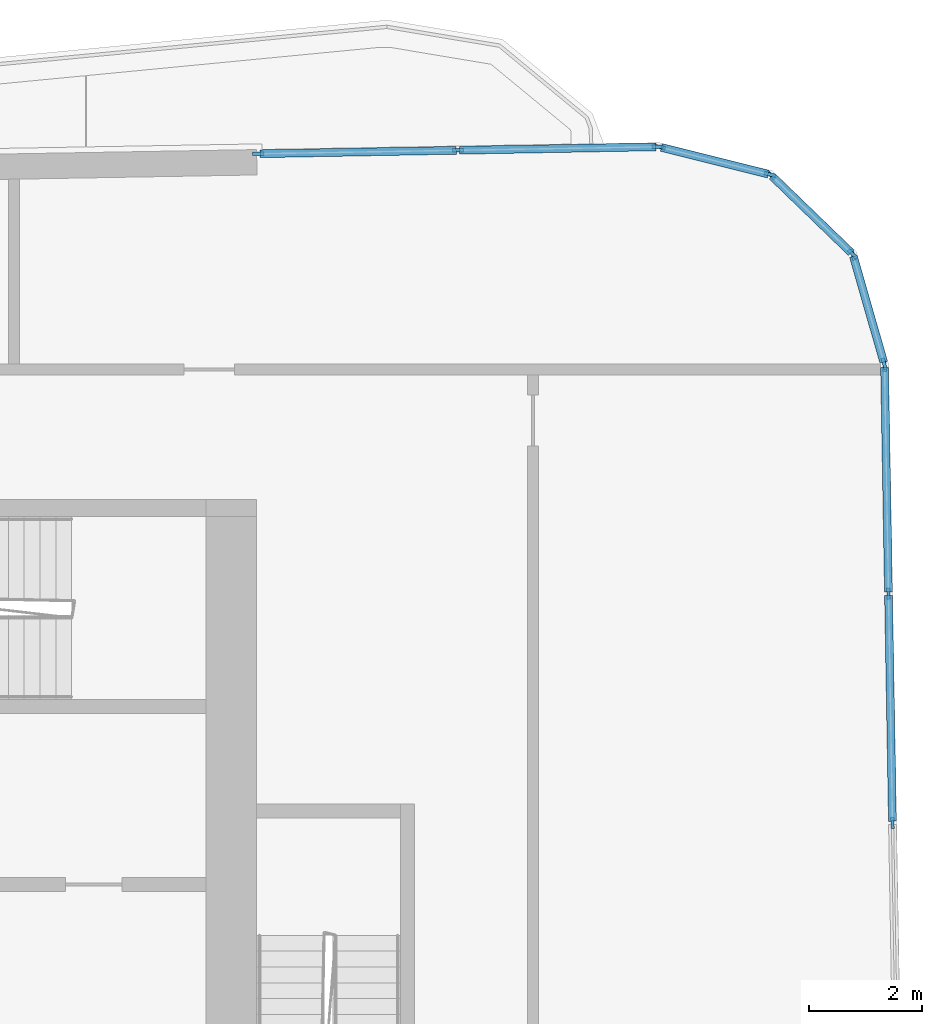
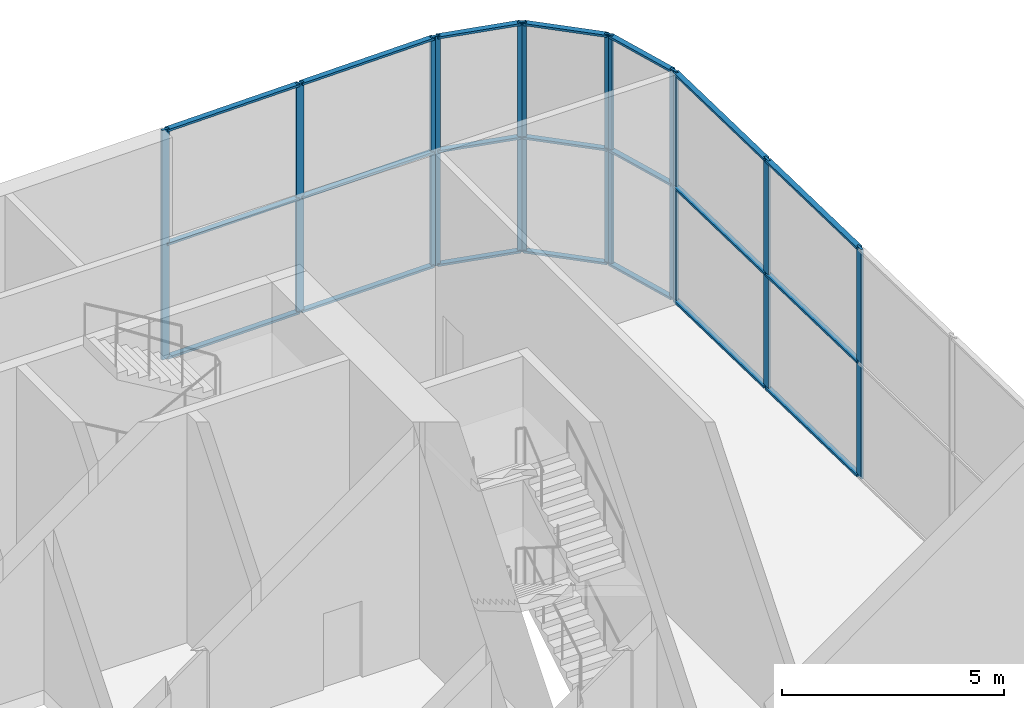
# One storey, part 8 of 24: 33 members, 5 elements without a shape of their own.
"""IFC4 building model written with IfcOpenShell, lengths in metres."""

import ifcopenshell
import ifcopenshell.guid

model = None  # the IFC model being written
_history = None  # IfcOwnerHistory: only IFC2X3 demands one
_inside = {}  # id of a spatial element -> (the spatial element, [elements in it])
_under = {}  # id of a project, library or spatial element -> (it, [spatial elements below it])
_declared = {}  # id of a project -> (the project, [libraries it declares])
_typed = {}  # id of a type object -> (the type object, [elements of that type])
_made_of = {}  # id of a material, layer set ... -> (it, [elements and type objects made of it])


def new_model(schema):
    """Start an empty IFC model of exactly this schema.

    Asked for "IFC4X3", IfcOpenShell would pick the latest addendum, in which some entities
    have other attributes; the version numbers below select the first issue.
    IFC2X3 requires an IfcOwnerHistory on every rooted entity: one is made here for all.
    """
    global model, _history
    if schema == "IFC4X3":
        model = ifcopenshell.file(schema_version=(4, 3, 0, 0))
    else:
        model = ifcopenshell.file(schema=schema)
    _inside.clear()
    _under.clear()
    _declared.clear()
    _typed.clear()
    _made_of.clear()
    _history = None
    if model.schema == "IFC2X3":
        org = make("IfcOrganization", Name="unknown")
        user = make(
            "IfcPersonAndOrganization",
            ThePerson=make("IfcPerson", FamilyName="unknown"),
            TheOrganization=org,
        )
        app = make(
            "IfcApplication",
            ApplicationDeveloper=org,
            Version="unknown",
            ApplicationFullName="unknown",
            ApplicationIdentifier="unknown",
        )
        _history = make(
            "IfcOwnerHistory",
            OwningUser=user,
            OwningApplication=app,
            ChangeAction="ADDED",
            CreationDate=0,
        )
    return model


def make(cls, **values):
    """One entity of the class cls with the attributes given. An attribute that is None is left unset."""
    return model.create_entity(
        cls, **{name: value for name, value in values.items() if value is not None}
    )


def rooted(cls, **values):
    """An entity with a GlobalId (a new one), such as an element, a storey or a relation."""
    return make(cls, GlobalId=ifcopenshell.guid.new(), OwnerHistory=_history, **values)


def si_unit(unit_type, name, prefix=None):
    """IfcSIUnit, for example si_unit("LENGTHUNIT", "METRE", prefix="MILLI")."""
    return make("IfcSIUnit", UnitType=unit_type, Prefix=prefix, Name=name)


def assignment(units):
    """IfcUnitAssignment: the units of a project."""
    return None if units is None else make("IfcUnitAssignment", Units=units)


def point(xyz):
    """IfcCartesianPoint."""
    return None if xyz is None else make("IfcCartesianPoint", Coordinates=xyz)


def direction(xyz):
    """IfcDirection."""
    return None if xyz is None else make("IfcDirection", DirectionRatios=xyz)


def frame(location, z_axis=None, x_axis=None):
    """IfcAxis2Placement3D, a coordinate frame: its origin and axes. An axis left out is left unset."""
    return make(
        "IfcAxis2Placement3D",
        Location=point(location),
        Axis=direction(z_axis),
        RefDirection=direction(x_axis),
    )


def frame_2d(location, x_axis=None):
    """IfcAxis2Placement2D, a coordinate frame in the plane: its origin and x axis."""
    return make(
        "IfcAxis2Placement2D", Location=point(location), RefDirection=direction(x_axis)
    )


def origin():
    """The frame at (0, 0, 0) with its axes left unset."""
    return frame((0.0, 0.0, 0.0))


def origin_2d():
    """The frame at (0, 0) in the plane with its x axis left unset."""
    return frame_2d((0.0, 0.0))


def place(relative_to, where):
    """IfcLocalPlacement: puts the frame where relative to a parent placement (None: the world)."""
    return make(
        "IfcLocalPlacement", PlacementRelTo=relative_to, RelativePlacement=where
    )


def context(
    kind, dimensions, precision=None, world=None, true_north=None, identifier=None
):
    """IfcGeometricRepresentationContext, for example the 3D "Model" context."""
    return make(
        "IfcGeometricRepresentationContext",
        ContextIdentifier=identifier,
        ContextType=kind,
        CoordinateSpaceDimension=dimensions,
        Precision=precision,
        WorldCoordinateSystem=world,
        TrueNorth=true_north,
    )


def subcontext(parent, identifier, kind, view, scale=None):
    """IfcGeometricRepresentationSubContext, for example "Body" below "Model"."""
    return make(
        "IfcGeometricRepresentationSubContext",
        ContextIdentifier=identifier,
        ContextType=kind,
        ParentContext=parent,
        TargetScale=scale,
        TargetView=view,
    )


def project(units=None, contexts=None):
    """IfcProject with its units and contexts."""
    return rooted(
        "IfcProject",
        Name="project",
        RepresentationContexts=contexts,
        UnitsInContext=assignment(units),
    )


def spatial(cls, under=None, at=None, **own):
    """A site, building, storey or space (cls), placed at a placement, below another one or the project."""
    s = rooted(cls, ObjectPlacement=at, **own)
    if under is not None:
        _under.setdefault(under.id(), (under, []))[1].append(s)
    return s


def profile(cls, at=None, kind="AREA", **sizes):
    """A parametric profile (cls). Its sizes go by their IFC names, for example OverallWidth=200.0."""
    return make(cls, ProfileType=kind, Position=at, **sizes)


def rectangle(**sizes):
    """IfcRectangleProfileDef."""
    return profile("IfcRectangleProfileDef", **sizes)


def extrude(swept, where, along, depth):
    """IfcExtrudedAreaSolid: the profile swept, set in the frame where, extruded along a direction by depth."""
    return make(
        "IfcExtrudedAreaSolid",
        SweptArea=swept,
        Position=where,
        ExtrudedDirection=direction(along),
        Depth=depth,
    )


def shape(context_of_items, identifier, shape_type, items):
    """IfcShapeRepresentation: the items that make up one representation, for example the "Body"."""
    return make(
        "IfcShapeRepresentation",
        ContextOfItems=context_of_items,
        RepresentationIdentifier=identifier,
        RepresentationType=shape_type,
        Items=items,
    )


def material(Name=None, Category=None):
    """IfcMaterial."""
    return make("IfcMaterial", Name=Name, Category=Category)


def material_profile(
    of_material, cross_section, Name=None, Category=None, Priority=None
):
    """IfcMaterialProfile: a cross section and its material."""
    return make(
        "IfcMaterialProfile",
        Name=Name,
        Material=of_material,
        Profile=cross_section,
        Priority=Priority,
        Category=Category,
    )


def profile_set(profiles, Name=None, composite=None):
    """IfcMaterialProfileSet."""
    return make(
        "IfcMaterialProfileSet",
        Name=Name,
        MaterialProfiles=profiles,
        CompositeProfile=composite,
    )


def made_of(thing, what):
    """Note that an element or type object is made of a material, layer set ...; save() writes the relation."""
    if what is not None:
        _made_of.setdefault(what.id(), (what, []))[1].append(thing)
    return thing


def type_object(cls, material=None, **own):
    """A type object (cls), such as IfcWallType, which elements share."""
    return made_of(rooted(cls, **own), material)


def element(
    cls,
    number,
    at=None,
    inside=None,
    cuts=None,
    type_object=None,
    material=None,
    context=None,
    identifier="Body",
    shape_type=None,
    held_by="IfcProductDefinitionShape",
    body=None,
    shapes=None,
    **own,
):
    """One element of the class cls, such as IfcWall. Its Tag is "e" and its number.

    at: its placement. inside: the storey or other place that contains it. cuts: it is an
    opening in that element (IfcRelVoidsElement). A single representation is given by context,
    identifier, shape_type and body (its items); several are given by shapes. held_by: the class
    of the entity that holds the representations. save() writes the other relations.
    """
    e = rooted(cls, Tag="e%d" % number, ObjectPlacement=at, **own)
    if body is not None:
        shapes = [shape(context, identifier, shape_type, body)]
    if shapes is not None:
        e.Representation = make(held_by, Representations=shapes)
    if inside is not None:
        _inside.setdefault(inside.id(), (inside, []))[1].append(e)
    if cuts is not None:
        rooted(
            "IfcRelVoidsElement", RelatingBuildingElement=cuts, RelatedOpeningElement=e
        )
    if type_object is not None:
        _typed.setdefault(type_object.id(), (type_object, []))[1].append(e)
    return made_of(e, material)


def aggregate(whole, parts):
    """IfcRelAggregates: a whole, such as a stair, and the parts it consists of."""
    return rooted("IfcRelAggregates", RelatingObject=whole, RelatedObjects=parts)


def save(model, path):
    """Write the relations noted so far, then the file.

    IfcRelAggregates (storeys below a building ...), IfcRelContainedInSpatialStructure (elements
    in a storey), IfcRelDefinesByType, IfcRelAssociatesMaterial and IfcRelDeclares: one each for
    every whole, place, type object, material and project.
    """
    for whole, parts in _under.values():
        aggregate(whole, parts)
    for where, things in _inside.values():
        rooted(
            "IfcRelContainedInSpatialStructure",
            RelatedElements=things,
            RelatingStructure=where,
        )
    for kind, things in _typed.values():
        rooted("IfcRelDefinesByType", RelatedObjects=things, RelatingType=kind)
    for what, things in _made_of.values():
        rooted("IfcRelAssociatesMaterial", RelatedObjects=things, RelatingMaterial=what)
    for by, libraries in _declared.values():
        rooted("IfcRelDeclares", RelatingContext=by, RelatedDefinitions=libraries)
    model.write(path)


model = new_model("IFC4")

# Units and contexts
model_context = context("Model", 3, precision=1e-05, world=origin(), true_north=direction((0.0, 1.0)))
body_context = subcontext(model_context, "Body", "Model", "MODEL_VIEW")
ifc_project = project(units=[si_unit("LENGTHUNIT", "METRE"), si_unit("AREAUNIT", "SQUARE_METRE"), si_unit("VOLUMEUNIT", "CUBIC_METRE"), si_unit("PLANEANGLEUNIT", "RADIAN"), si_unit("MASSUNIT", "GRAM", prefix="KILO")], contexts=[model_context])

# Site, building, storey
site_placement = place(None, origin())
site = spatial("IfcSite", under=ifc_project, at=site_placement, CompositionType="ELEMENT")
building_placement = place(site_placement, origin())
building = spatial("IfcBuilding", under=site, at=building_placement, Name="Kajstack Hotel Tower", CompositionType="ELEMENT")
storey_placement = place(building_placement, frame((0.0, 0.0, 211.10009765625)))
storey = spatial("IfcBuildingStorey", under=building, at=storey_placement, Name="L51", CompositionType="ELEMENT", Elevation=211.10009765625)

# Curtain wall, members
ifc_material_1 = material(Name="Aluminium-framed curtain wall, low-iron insulated glass", Category="aluminium")
curtain_wall_type = type_object("IfcCurtainWallType", Name="CW-GARDEN", PredefinedType="NOTDEFINED", material=ifc_material_1)
curtain_wall_1_placement = place(storey_placement, origin())
curtain_wall_1 = element("IfcCurtainWall", 1, at=curtain_wall_1_placement, inside=storey, type_object=curtain_wall_type, Name="Curtain wall CU6 L51-08-00-2", PredefinedType="NOTDEFINED")
ifc_material_2 = material(Name="Aluminium", Category="aluminium")
ifc_material_profile_1 = material_profile(ifc_material_2, rectangle(XDim=0.06005859375, YDim=0.199951171875, at=origin_2d()), Name="Aluminium mullion 60 x 200")
ifc_profile_set_1 = profile_set([ifc_material_profile_1], Name="Aluminium")
member_type_1 = type_object("IfcMemberType", Name="CW-M-GARDEN", PredefinedType="MULLION", material=ifc_profile_set_1)
member_1_placement = place(storey_placement, frame((42.77294921875, 9.763916015625, 0.0), z_axis=(0.0, 0.0, 1.0), x_axis=(-0.999847658176, -0.017454524927, 0.0)))
member_1 = element("IfcMember", 2, at=member_1_placement, type_object=member_type_1, Name="CU6 mullion 2", PredefinedType="MULLION", context=body_context, shape_type="SweptSolid", body=[
    extrude(rectangle(XDim=0.06005859375, YDim=0.199951171875, at=origin_2d()), origin(), (0.0, 0.0, 1.0), 6.31982421875),
])
member_2_placement = place(storey_placement, frame((42.701904296875, 13.8291015625, 0.0), z_axis=(0.0, 0.0, 1.0), x_axis=(-0.999847658176, -0.017454524927, 0.0)))
member_2 = element("IfcMember", 3, at=member_2_placement, type_object=member_type_1, Name="CU6 mullion 3", PredefinedType="MULLION", context=body_context, shape_type="SweptSolid", body=[
    extrude(rectangle(XDim=0.06005859375, YDim=0.199951171875, at=origin_2d()), origin(), (0.0, 0.0, 1.0), 6.31982421875),
])
member_3_placement = place(storey_placement, frame((42.63134765625, 17.8642578125, 0.0), z_axis=(0.0, 0.0, 1.0), x_axis=(-0.999847658176, -0.017454524927, 0.0)))
member_3 = element("IfcMember", 4, at=member_3_placement, type_object=member_type_1, Name="CU6 mullion 4", PredefinedType="MULLION", context=body_context, shape_type="SweptSolid", body=[
    extrude(rectangle(XDim=0.06005859375, YDim=0.199951171875, at=origin_2d()), origin(), (0.0, 0.0, 1.0), 6.31982421875),
])

curtain_wall_2_placement = place(storey_placement, origin())
curtain_wall_2 = element("IfcCurtainWall", 5, at=curtain_wall_2_placement, inside=storey, type_object=curtain_wall_type, Name="Curtain wall CU6 L51-09-00-0", PredefinedType="NOTDEFINED")
member_4_placement = place(storey_placement, frame((42.62548828125, 17.90380859375, 0.0), z_axis=(0.0, 0.0, 1.0), x_axis=(-0.961262891321, -0.275633186987, 0.0)))
member_4 = element("IfcMember", 6, at=member_4_placement, type_object=member_type_1, Name="CU6 mullion 1", PredefinedType="MULLION", context=body_context, shape_type="SweptSolid", body=[
    extrude(rectangle(XDim=0.06005859375, YDim=0.199951171875, at=origin_2d()), origin(), (0.0, 0.0, 1.0), 6.31982421875),
])
member_5_placement = place(storey_placement, frame((42.0712890625, 19.83642578125, 0.0), z_axis=(0.0, 0.0, 1.0), x_axis=(-0.961262891321, -0.275633186987, 0.0)))
member_5 = element("IfcMember", 7, at=member_5_placement, type_object=member_type_1, Name="CU6 mullion 2", PredefinedType="MULLION", context=body_context, shape_type="SweptSolid", body=[
    extrude(rectangle(XDim=0.06005859375, YDim=0.199951171875, at=origin_2d()), origin(), (0.0, 0.0, 1.0), 6.31982421875),
])

curtain_wall_3_placement = place(storey_placement, origin())
curtain_wall_3 = element("IfcCurtainWall", 8, at=curtain_wall_3_placement, inside=storey, type_object=curtain_wall_type, Name="Curtain wall CU6 L51-10-00-0", PredefinedType="NOTDEFINED")
member_6_placement = place(storey_placement, frame((42.0615234375, 19.852783203125, 0.0), z_axis=(0.0, 0.0, 1.0), x_axis=(-0.694684144978, -0.719314909283, 0.0)))
member_6 = element("IfcMember", 9, at=member_6_placement, type_object=member_type_1, Name="CU6 mullion 1", PredefinedType="MULLION", context=body_context, shape_type="SweptSolid", body=[
    extrude(rectangle(XDim=0.06005859375, YDim=0.199951171875, at=origin_2d()), origin(), (0.0, 0.0, 1.0), 6.31982421875),
])
member_7_placement = place(storey_placement, frame((40.615234375, 21.24951171875, 0.0), z_axis=(0.0, 0.0, 1.0), x_axis=(-0.694684144978, -0.719314909283, 0.0)))
member_7 = element("IfcMember", 10, at=member_7_placement, type_object=member_type_1, Name="CU6 mullion 2", PredefinedType="MULLION", context=body_context, shape_type="SweptSolid", body=[
    extrude(rectangle(XDim=0.06005859375, YDim=0.199951171875, at=origin_2d()), origin(), (0.0, 0.0, 1.0), 6.31982421875),
])

curtain_wall_4_placement = place(storey_placement, origin())
curtain_wall_4 = element("IfcCurtainWall", 11, at=curtain_wall_4_placement, inside=storey, type_object=curtain_wall_type, Name="Curtain wall CU6 L51-11-00-0", PredefinedType="NOTDEFINED")
member_8_placement = place(storey_placement, frame((40.5986328125, 21.2587890625, 0.0), z_axis=(0.0, 0.0, 1.0), x_axis=(-0.241910578206, -0.970298547949, 0.0)))
member_8 = element("IfcMember", 12, at=member_8_placement, type_object=member_type_1, Name="CU6 mullion 1", PredefinedType="MULLION", context=body_context, shape_type="SweptSolid", body=[
    extrude(rectangle(XDim=0.06005859375, YDim=0.199951171875, at=origin_2d()), origin(), (0.0, 0.0, 1.0), 6.31982421875),
])
member_9_placement = place(storey_placement, frame((38.647705078125, 21.7451171875, 0.0), z_axis=(0.0, 0.0, 1.0), x_axis=(-0.241910578206, -0.970298547949, 0.0)))
member_9 = element("IfcMember", 13, at=member_9_placement, type_object=member_type_1, Name="CU6 mullion 2", PredefinedType="MULLION", context=body_context, shape_type="SweptSolid", body=[
    extrude(rectangle(XDim=0.06005859375, YDim=0.199951171875, at=origin_2d()), origin(), (0.0, 0.0, 1.0), 6.31982421875),
])

curtain_wall_5_placement = place(storey_placement, origin())
curtain_wall_5 = element("IfcCurtainWall", 14, at=curtain_wall_5_placement, inside=storey, type_object=curtain_wall_type, Name="Curtain wall CU6 L51-12-00-0", PredefinedType="NOTDEFINED")
member_10_placement = place(storey_placement, frame((38.60791015625, 21.749755859375, 0.0), z_axis=(0.0, 0.0, 1.0), x_axis=(0.017452723463, -0.999847689623, 0.0)))
member_10 = element("IfcMember", 15, at=member_10_placement, type_object=member_type_1, Name="CU6 mullion 1", PredefinedType="MULLION", context=body_context, shape_type="SweptSolid", body=[
    extrude(rectangle(XDim=0.06005859375, YDim=0.199951171875, at=origin_2d()), origin(), (0.0, 0.0, 1.0), 6.31982421875),
])
member_11_placement = place(storey_placement, frame((35.069580078125, 21.68798828125, 0.0), z_axis=(0.0, 0.0, 1.0), x_axis=(0.017452723463, -0.999847689623, 0.0)))
member_11 = element("IfcMember", 16, at=member_11_placement, type_object=member_type_1, Name="CU6 mullion 2", PredefinedType="MULLION", context=body_context, shape_type="SweptSolid", body=[
    extrude(rectangle(XDim=0.06005859375, YDim=0.199951171875, at=origin_2d()), origin(), (0.0, 0.0, 1.0), 6.31982421875),
])
member_12_placement = place(storey_placement, frame((31.53125, 21.626220703125, 0.0), z_axis=(0.0, 0.0, 1.0), x_axis=(0.017452723463, -0.999847689623, 0.0)))
member_12 = element("IfcMember", 17, at=member_12_placement, type_object=member_type_1, Name="CU6 mullion 3", PredefinedType="MULLION", context=body_context, shape_type="SweptSolid", body=[
    extrude(rectangle(XDim=0.06005859375, YDim=0.199951171875, at=origin_2d()), origin(), (0.0, 0.0, 1.0), 6.31982421875),
])

# Member
ifc_material_profile_2 = material_profile(ifc_material_2, rectangle(XDim=0.139892578125, YDim=0.06005859375, at=origin_2d()), Name="Aluminium transom 140 x 60")
ifc_profile_set_2 = profile_set([ifc_material_profile_2], Name="Aluminium")
member_type_2 = type_object("IfcMemberType", Name="CW-T-GARDEN", PredefinedType="USERDEFINED", material=ifc_profile_set_2)
member_13_placement = place(storey_placement, frame((42.772216796875, 9.7939453125, 0.02978515625), z_axis=(-0.017431060488, 0.999848067523, 0.0), x_axis=(-0.999848067523, -0.017431060488, 0.0)))
member_13 = element("IfcMember", 18, at=member_13_placement, type_object=member_type_2, Name="CU6 transom 2.1", ObjectType="TRANSOM", PredefinedType="USERDEFINED", context=body_context, shape_type="SweptSolid", body=[
    extrude(rectangle(XDim=0.139892578125, YDim=0.06005859375, at=origin_2d()), origin(), (0.0, 0.0, 1.0), 4.005615234375),
])

member_14_placement = place(storey_placement, frame((42.772216796875, 9.7939453125, 3.159912109375), z_axis=(-0.017431060488, 0.999848067523, 0.0), x_axis=(-0.999848067523, -0.017431060488, 0.0)))
member_14 = element("IfcMember", 19, at=member_14_placement, type_object=member_type_2, Name="CU6 transom 2.2", ObjectType="TRANSOM", PredefinedType="USERDEFINED", context=body_context, shape_type="SweptSolid", body=[
    extrude(rectangle(XDim=0.139892578125, YDim=0.06005859375, at=origin_2d()), origin(), (0.0, 0.0, 1.0), 4.005615234375),
])

member_15_placement = place(storey_placement, frame((42.772216796875, 9.7939453125, 6.289794921875), z_axis=(-0.017431060488, 0.999848067523, 0.0), x_axis=(-0.999848067523, -0.017431060488, 0.0)))
member_15 = element("IfcMember", 20, at=member_15_placement, type_object=member_type_2, Name="CU6 transom 2.3", ObjectType="TRANSOM", PredefinedType="USERDEFINED", context=body_context, shape_type="SweptSolid", body=[
    extrude(rectangle(XDim=0.139892578125, YDim=0.06005859375, at=origin_2d()), origin(), (0.0, 0.0, 1.0), 4.005615234375),
])

member_16_placement = place(storey_placement, frame((42.701416015625, 13.859130859375, 0.02978515625), z_axis=(-0.017439921833, 0.999847912998, 0.0), x_axis=(-0.999847912998, -0.017439921833, 0.0)))
member_16 = element("IfcMember", 21, at=member_16_placement, type_object=member_type_2, Name="CU6 transom 3.1", ObjectType="TRANSOM", PredefinedType="USERDEFINED", context=body_context, shape_type="SweptSolid", body=[
    extrude(rectangle(XDim=0.139892578125, YDim=0.06005859375, at=origin_2d()), origin(), (0.0, 0.0, 1.0), 3.9755859375),
])

member_17_placement = place(storey_placement, frame((42.701416015625, 13.859130859375, 3.159912109375), z_axis=(-0.017439921833, 0.999847912998, 0.0), x_axis=(-0.999847912998, -0.017439921833, 0.0)))
member_17 = element("IfcMember", 22, at=member_17_placement, type_object=member_type_2, Name="CU6 transom 3.2", ObjectType="TRANSOM", PredefinedType="USERDEFINED", context=body_context, shape_type="SweptSolid", body=[
    extrude(rectangle(XDim=0.139892578125, YDim=0.06005859375, at=origin_2d()), origin(), (0.0, 0.0, 1.0), 3.9755859375),
])

member_18_placement = place(storey_placement, frame((42.701416015625, 13.859130859375, 6.289794921875), z_axis=(-0.017439921833, 0.999847912998, 0.0), x_axis=(-0.999847912998, -0.017439921833, 0.0)))
member_18 = element("IfcMember", 23, at=member_18_placement, type_object=member_type_2, Name="CU6 transom 3.3", ObjectType="TRANSOM", PredefinedType="USERDEFINED", context=body_context, shape_type="SweptSolid", body=[
    extrude(rectangle(XDim=0.139892578125, YDim=0.06005859375, at=origin_2d()), origin(), (0.0, 0.0, 1.0), 3.9755859375),
])

aggregate(curtain_wall_1, [member_1, member_2, member_3, member_13, member_14, member_15, member_16, member_17, member_18])

member_19_placement = place(storey_placement, frame((42.6171875, 17.9326171875, 0.02978515625), z_axis=(-0.275613696915, 0.961268479704, 0.0), x_axis=(-0.961268479704, -0.275613696915, 0.0)))
member_19 = element("IfcMember", 24, at=member_19_placement, type_object=member_type_2, Name="CU6 transom 1.1", ObjectType="TRANSOM", PredefinedType="USERDEFINED", context=body_context, shape_type="SweptSolid", body=[
    extrude(rectangle(XDim=0.139892578125, YDim=0.06005859375, at=origin_2d()), origin(), (0.0, 0.0, 1.0), 1.950439453125),
])

member_20_placement = place(storey_placement, frame((42.6171875, 17.9326171875, 3.159912109375), z_axis=(-0.275613696915, 0.961268479704, 0.0), x_axis=(-0.961268479704, -0.275613696915, 0.0)))
member_20 = element("IfcMember", 25, at=member_20_placement, type_object=member_type_2, Name="CU6 transom 1.2", ObjectType="TRANSOM", PredefinedType="USERDEFINED", context=body_context, shape_type="SweptSolid", body=[
    extrude(rectangle(XDim=0.139892578125, YDim=0.06005859375, at=origin_2d()), origin(), (0.0, 0.0, 1.0), 1.950439453125),
])

member_21_placement = place(storey_placement, frame((42.6171875, 17.9326171875, 6.289794921875), z_axis=(-0.275613696915, 0.961268479704, 0.0), x_axis=(-0.961268479704, -0.275613696915, 0.0)))
member_21 = element("IfcMember", 26, at=member_21_placement, type_object=member_type_2, Name="CU6 transom 1.3", ObjectType="TRANSOM", PredefinedType="USERDEFINED", context=body_context, shape_type="SweptSolid", body=[
    extrude(rectangle(XDim=0.139892578125, YDim=0.06005859375, at=origin_2d()), origin(), (0.0, 0.0, 1.0), 1.950439453125),
])

aggregate(curtain_wall_2, [member_4, member_5, member_19, member_20, member_21])

member_22_placement = place(storey_placement, frame((42.0400390625, 19.87353515625, 0.02978515625), z_axis=(-0.719265586327, 0.694735213103, 0.0), x_axis=(-0.694735213103, -0.719265586327, 0.0)))
member_22 = element("IfcMember", 27, at=member_22_placement, type_object=member_type_2, Name="CU6 transom 1.1", ObjectType="TRANSOM", PredefinedType="USERDEFINED", context=body_context, shape_type="SweptSolid", body=[
    extrude(rectangle(XDim=0.139892578125, YDim=0.06005859375, at=origin_2d()), origin(), (0.0, 0.0, 1.0), 1.95068359375),
])

member_23_placement = place(storey_placement, frame((42.0400390625, 19.87353515625, 3.159912109375), z_axis=(-0.719265586327, 0.694735213103, 0.0), x_axis=(-0.694735213103, -0.719265586327, 0.0)))
member_23 = element("IfcMember", 28, at=member_23_placement, type_object=member_type_2, Name="CU6 transom 1.2", ObjectType="TRANSOM", PredefinedType="USERDEFINED", context=body_context, shape_type="SweptSolid", body=[
    extrude(rectangle(XDim=0.139892578125, YDim=0.06005859375, at=origin_2d()), origin(), (0.0, 0.0, 1.0), 1.95068359375),
])

member_24_placement = place(storey_placement, frame((42.0400390625, 19.87353515625, 6.289794921875), z_axis=(-0.719265586327, 0.694735213103, 0.0), x_axis=(-0.694735213103, -0.719265586327, 0.0)))
member_24 = element("IfcMember", 29, at=member_24_placement, type_object=member_type_2, Name="CU6 transom 1.3", ObjectType="TRANSOM", PredefinedType="USERDEFINED", context=body_context, shape_type="SweptSolid", body=[
    extrude(rectangle(XDim=0.139892578125, YDim=0.06005859375, at=origin_2d()), origin(), (0.0, 0.0, 1.0), 1.95068359375),
])

aggregate(curtain_wall_3, [member_6, member_7, member_22, member_23, member_24])

member_25_placement = place(storey_placement, frame((40.5693359375, 21.26611328125, 0.02978515625), z_axis=(-0.970318953434, 0.241828717497, 0.0), x_axis=(-0.241828717497, -0.970318953434, 0.0)))
member_25 = element("IfcMember", 30, at=member_25_placement, type_object=member_type_2, Name="CU6 transom 1.1", ObjectType="TRANSOM", PredefinedType="USERDEFINED", context=body_context, shape_type="SweptSolid", body=[
    extrude(rectangle(XDim=0.139892578125, YDim=0.06005859375, at=origin_2d()), origin(), (0.0, 0.0, 1.0), 1.950439453125),
])

member_26_placement = place(storey_placement, frame((40.5693359375, 21.26611328125, 3.159912109375), z_axis=(-0.970318953434, 0.241828717497, 0.0), x_axis=(-0.241828717497, -0.970318953434, 0.0)))
member_26 = element("IfcMember", 31, at=member_26_placement, type_object=member_type_2, Name="CU6 transom 1.2", ObjectType="TRANSOM", PredefinedType="USERDEFINED", context=body_context, shape_type="SweptSolid", body=[
    extrude(rectangle(XDim=0.139892578125, YDim=0.06005859375, at=origin_2d()), origin(), (0.0, 0.0, 1.0), 1.950439453125),
])

member_27_placement = place(storey_placement, frame((40.5693359375, 21.26611328125, 6.289794921875), z_axis=(-0.970318953434, 0.241828717497, 0.0), x_axis=(-0.241828717497, -0.970318953434, 0.0)))
member_27 = element("IfcMember", 32, at=member_27_placement, type_object=member_type_2, Name="CU6 transom 1.3", ObjectType="TRANSOM", PredefinedType="USERDEFINED", context=body_context, shape_type="SweptSolid", body=[
    extrude(rectangle(XDim=0.139892578125, YDim=0.06005859375, at=origin_2d()), origin(), (0.0, 0.0, 1.0), 1.950439453125),
])

aggregate(curtain_wall_4, [member_8, member_9, member_25, member_26, member_27])

member_28_placement = place(storey_placement, frame((38.578125, 21.749267578125, 0.02978515625), z_axis=(-0.999847327288, -0.017473468872, 0.0), x_axis=(0.017473468872, -0.999847327288, 0.0)))
member_28 = element("IfcMember", 33, at=member_28_placement, type_object=member_type_2, Name="CU6 transom 1.1", ObjectType="TRANSOM", PredefinedType="USERDEFINED", context=body_context, shape_type="SweptSolid", body=[
    extrude(rectangle(XDim=0.139892578125, YDim=0.06005859375, at=origin_2d()), origin(), (0.0, 0.0, 1.0), 3.47900390625),
])

member_29_placement = place(storey_placement, frame((38.578125, 21.749267578125, 3.159912109375), z_axis=(-0.999847327288, -0.017473468872, 0.0), x_axis=(0.017473468872, -0.999847327288, 0.0)))
member_29 = element("IfcMember", 34, at=member_29_placement, type_object=member_type_2, Name="CU6 transom 1.2", ObjectType="TRANSOM", PredefinedType="USERDEFINED", context=body_context, shape_type="SweptSolid", body=[
    extrude(rectangle(XDim=0.139892578125, YDim=0.06005859375, at=origin_2d()), origin(), (0.0, 0.0, 1.0), 3.47900390625),
])

member_30_placement = place(storey_placement, frame((38.578125, 21.749267578125, 6.289794921875), z_axis=(-0.999847327288, -0.017473468872, 0.0), x_axis=(0.017473468872, -0.999847327288, 0.0)))
member_30 = element("IfcMember", 35, at=member_30_placement, type_object=member_type_2, Name="CU6 transom 1.3", ObjectType="TRANSOM", PredefinedType="USERDEFINED", context=body_context, shape_type="SweptSolid", body=[
    extrude(rectangle(XDim=0.139892578125, YDim=0.06005859375, at=origin_2d()), origin(), (0.0, 0.0, 1.0), 3.47900390625),
])

member_31_placement = place(storey_placement, frame((35.03955078125, 21.6875, 0.02978515625), z_axis=(-0.99984730586, -0.017474694964, 0.0), x_axis=(0.017474694964, -0.99984730586, 0.0)))
member_31 = element("IfcMember", 36, at=member_31_placement, type_object=member_type_2, Name="CU6 transom 2.1", ObjectType="TRANSOM", PredefinedType="USERDEFINED", context=body_context, shape_type="SweptSolid", body=[
    extrude(rectangle(XDim=0.139892578125, YDim=0.06005859375, at=origin_2d()), origin(), (0.0, 0.0, 1.0), 3.478759765625),
])

member_32_placement = place(storey_placement, frame((35.03955078125, 21.6875, 3.159912109375), z_axis=(-0.99984730586, -0.017474694964, 0.0), x_axis=(0.017474694964, -0.99984730586, 0.0)))
member_32 = element("IfcMember", 37, at=member_32_placement, type_object=member_type_2, Name="CU6 transom 2.2", ObjectType="TRANSOM", PredefinedType="USERDEFINED", context=body_context, shape_type="SweptSolid", body=[
    extrude(rectangle(XDim=0.139892578125, YDim=0.06005859375, at=origin_2d()), origin(), (0.0, 0.0, 1.0), 3.478759765625),
])

member_33_placement = place(storey_placement, frame((35.03955078125, 21.6875, 6.289794921875), z_axis=(-0.99984730586, -0.017474694964, 0.0), x_axis=(0.017474694964, -0.99984730586, 0.0)))
member_33 = element("IfcMember", 38, at=member_33_placement, type_object=member_type_2, Name="CU6 transom 2.3", ObjectType="TRANSOM", PredefinedType="USERDEFINED", context=body_context, shape_type="SweptSolid", body=[
    extrude(rectangle(XDim=0.139892578125, YDim=0.06005859375, at=origin_2d()), origin(), (0.0, 0.0, 1.0), 3.478759765625),
])

aggregate(curtain_wall_5, [member_10, member_11, member_12, member_28, member_29, member_30, member_31, member_32, member_33])

save(model, "model.ifc")
